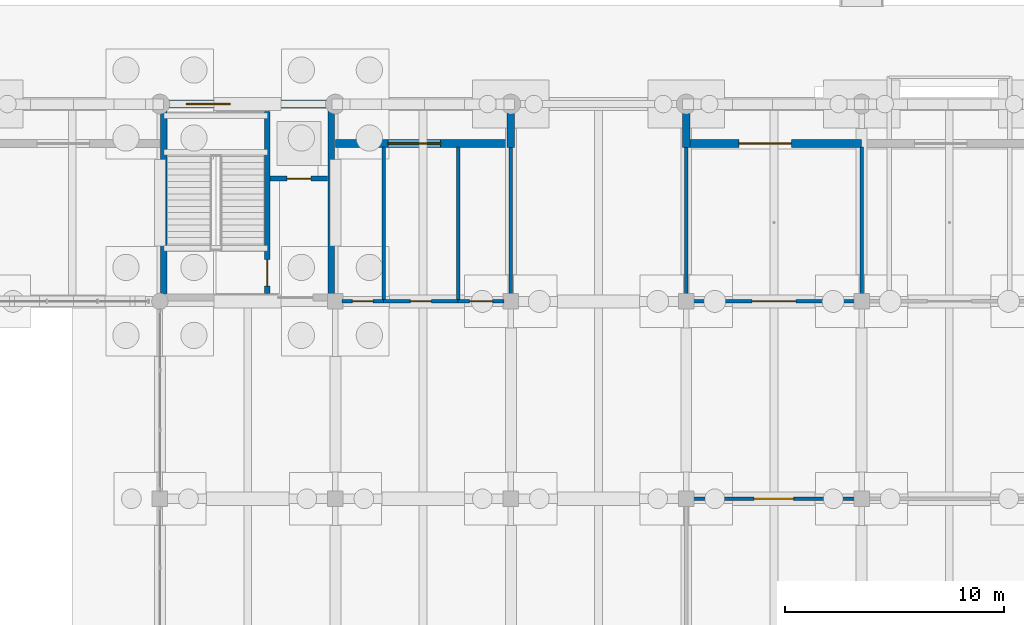
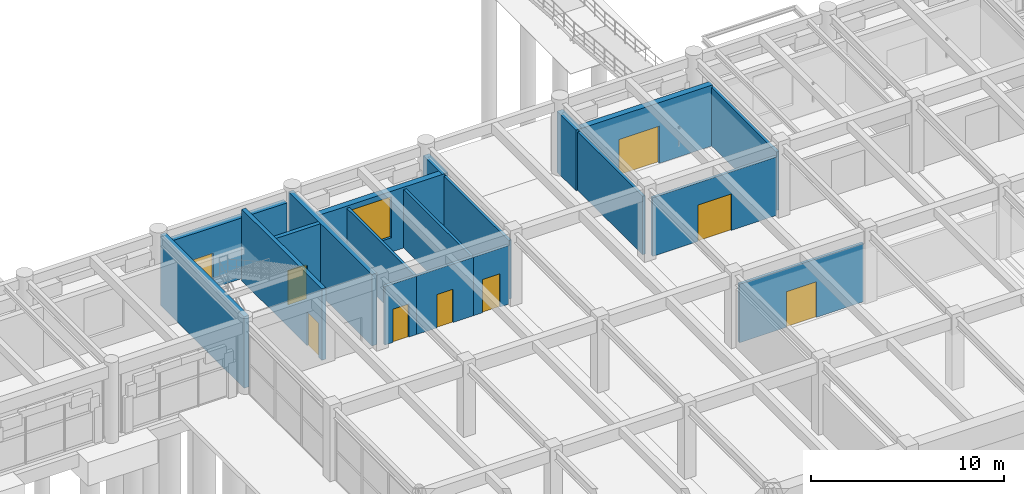
# One storey, part 108 of 147: 19 walls, 9 doors, 1 window, 10 openings.
"""IFC4 building model written with IfcOpenShell, lengths in metres."""

from ifc_helpers import new_model, si_unit, direction, frame, frame_2d, origin, place, context, subcontext, project, spatial, rectangle, extrude, material, layer, layer_set, type_object, element, fill, save


model = new_model("IFC4")

# Units and contexts
model_context = context("Model", 3, precision=1e-05, world=origin(), true_north=direction((0.0, 1.0)))
body_context = subcontext(model_context, "Body", "Model", "MODEL_VIEW")
ifc_project = project(units=[si_unit("LENGTHUNIT", "METRE"), si_unit("AREAUNIT", "SQUARE_METRE"), si_unit("VOLUMEUNIT", "CUBIC_METRE"), si_unit("PLANEANGLEUNIT", "RADIAN"), si_unit("MASSUNIT", "GRAM", prefix="KILO")], contexts=[model_context])

# Site, building, storey
site_placement = place(None, origin())
site = spatial("IfcSite", under=ifc_project, at=site_placement, CompositionType="ELEMENT")
building_placement = place(site_placement, origin())
building = spatial("IfcBuilding", under=site, at=building_placement, Name="Varnabhumi Central Station", CompositionType="ELEMENT")
storey_placement = place(building_placement, origin())
storey = spatial("IfcBuildingStorey", under=building, at=storey_placement, Name="L00", CompositionType="ELEMENT", Elevation=0.0)

# Walls
ifc_material_1 = material(Name="Concrete M40", Category="concrete")
ifc_layer_1 = layer(ifc_material_1, 0.300048828125, Name="Concrete M40", Category="concrete")
ifc_layer_set_1 = layer_set([ifc_layer_1], Name="Concrete M40")
wall_type_1 = type_object("IfcWallType", Name="WAL-CORE-RC-300", PredefinedType="SHEAR", material=ifc_layer_set_1)
for number, where, z_axis, x_axis, name in (
    (1, (80.179931640625, 107.179931640625, 0.0), (0.0, 0.0, 1.0), (0.0, 1.0, 0.0), "NC2 L00 West Shear Wall"),
    (2, (87.820068359375, 107.179931640625, 0.0), (0.0, 0.0, 1.0), (0.0, 1.0, 0.0), "NC2 L00 East Shear Wall"),
):
    element("IfcWall", number, at=place(storey_placement, frame(where, z_axis=z_axis, x_axis=x_axis)), inside=storey, type_object=wall_type_1, Name=name, PredefinedType="SHEAR", context=body_context, shape_type="SweptSolid", body=[
        extrude(rectangle(XDim=8.64013671875, YDim=0.300048828125, at=frame_2d((4.320068359375, 0.0))), origin(), (0.0, 0.0, 1.0), 4.52001953125),
    ])

# Wall, opening, door
ifc_material_2 = material(Name="Chunar sandstone masonry", Category="masonry")
ifc_layer_2 = layer(ifc_material_2, 0.360107421875, Name="Chunar sandstone masonry", Category="masonry")
ifc_layer_set_2 = layer_set([ifc_layer_2], Name="Chunar sandstone masonry")
wall_type_2 = type_object("IfcWallType", Name="WAL-EXT-SANDSTONE-360", PredefinedType="SOLIDWALL", material=ifc_layer_set_2)
wall_1_placement = place(storey_placement, frame((80.39990234375, 116.0, 0.0), z_axis=(0.0, 0.0, 1.0), x_axis=(1.0, 0.0, 0.0)))
wall_1 = element("IfcWall", 3, at=wall_1_placement, inside=storey, type_object=wall_type_2, Name="North Boulevard Wall L00-11", PredefinedType="SOLIDWALL", context=body_context, shape_type="SweptSolid", body=[
    extrude(rectangle(XDim=7.2001953125, YDim=0.360107421875, at=frame_2d((3.60009765625, 0.0))), origin(), (0.0, 0.0, 1.0), 3.840087890625),
])
opening_1_placement = place(wall_1_placement, frame((0.800048828125, 0.0, 0.0)))
opening_1 = element("IfcOpeningElement", 4, at=opening_1_placement, cuts=wall_1, Name="Opening ED-2", PredefinedType="OPENING", context=body_context, shape_type="SweptSolid", body=[
    extrude(rectangle(XDim=2.0, YDim=2.199951171875, at=frame_2d((1.0, 1.10009765625))), frame((0.0, 0.18994140625, 0.0), z_axis=(0.0, -1.0, 0.0), x_axis=(1.0, 0.0, 0.0)), (0.0, 0.0, 1.0), 0.380126953125),
])
ifc_material_3 = material(Name="Stainless steel Grade 316", Category="steel")
door_type_1 = type_object("IfcDoorType", Name="DR-EXT-EXIT-2000", OperationType="NOTDEFINED", PredefinedType="DOOR", material=ifc_material_3)
door_1_placement = place(opening_1_placement, origin())
door_1 = element("IfcDoor", 5, at=door_1_placement, inside=storey, type_object=door_type_1, Name="North Core Stair Final Exit 80", OperationType="DOUBLE_DOOR_SINGLE_SWING", OverallHeight=2.199951171875, OverallWidth=2.0, PredefinedType="DOOR", context=body_context, shape_type="SweptSolid", body=[
    extrude(rectangle(XDim=2.0, YDim=2.199951171875, at=frame_2d((1.0, 1.10009765625))), frame((0.0, 0.02490234375, 0.0), z_axis=(0.0, -1.0, 0.0), x_axis=(1.0, 0.0, 0.0)), (0.0, 0.0, 1.0), 0.050048828125),
])
fill(opening_1, door_1)

# Wall
wall_2_placement = place(storey_placement, frame((96.0, 114.02001953125, 0.0), z_axis=(0.0, 0.0, 1.0), x_axis=(0.0, 1.0, 0.0)))
element("IfcWall", 6, at=wall_2_placement, inside=storey, type_object=wall_type_2, Name="Portales Return Wall W-12", PredefinedType="SOLIDWALL", context=body_context, shape_type="SweptSolid", body=[
    extrude(rectangle(XDim=1.97998046875, YDim=0.360107421875, at=frame_2d((0.989990234375, 0.0))), origin(), (0.0, 0.0, 1.0), 3.840087890625),
])

# Wall, opening, window
wall_3_placement = place(storey_placement, frame((88.0, 114.199951171875, 0.0), z_axis=(0.0, 0.0, 1.0), x_axis=(1.0, 0.0, 0.0)))
wall_3 = element("IfcWall", 7, at=wall_3_placement, inside=storey, type_object=wall_type_2, Name="North Boulevard Wall L00-12", PredefinedType="SOLIDWALL", context=body_context, shape_type="SweptSolid", body=[
    extrude(rectangle(XDim=8.0, YDim=0.360107421875, at=frame_2d((4.0, 0.0))), origin(), (0.0, 0.0, 1.0), 3.840087890625),
])
opening_2_placement = place(wall_3_placement, frame((2.39990234375, 0.0, 0.89990234375)))
opening_2 = element("IfcOpeningElement", 8, at=opening_2_placement, cuts=wall_3, Name="Opening W-01", PredefinedType="OPENING", context=body_context, shape_type="SweptSolid", body=[
    extrude(rectangle(XDim=2.39990234375, YDim=2.60009765625, at=frame_2d((1.199951171875, 1.300048828125))), frame((0.0, 0.18994140625, 0.0), z_axis=(0.0, -1.0, 0.0), x_axis=(1.0, 0.0, 0.0)), (0.0, 0.0, 1.0), 0.380126953125),
])
ifc_material_4 = material(Name="Laminated low-E double glazing", Category="glass")
window_type = type_object("IfcWindowType", Name="WIN-ARCADE-2400x2600", PartitioningType="DOUBLE_PANEL_VERTICAL", PredefinedType="WINDOW", material=ifc_material_4)
window_placement = place(opening_2_placement, origin())
window = element("IfcWindow", 9, at=window_placement, inside=storey, type_object=window_type, Name="North Arcade Window L00-12", OverallHeight=2.60009765625, OverallWidth=2.39990234375, PartitioningType="SINGLE_PANEL", PredefinedType="WINDOW", context=body_context, shape_type="SweptSolid", body=[
    extrude(rectangle(XDim=2.39990234375, YDim=2.60009765625, at=frame_2d((1.199951171875, 1.300048828125))), frame((0.0, 0.030029296875, 0.0), z_axis=(0.0, -1.0, 0.0), x_axis=(1.0, 0.0, 0.0)), (0.0, 0.0, 1.0), 0.06005859375),
])
fill(opening_2, window)

# Wall
wall_4_placement = place(storey_placement, frame((104.0, 114.02001953125, 0.0), z_axis=(0.0, 0.0, 1.0), x_axis=(0.0, 1.0, 0.0)))
element("IfcWall", 10, at=wall_4_placement, inside=storey, type_object=wall_type_2, Name="Portales Return Wall E-14", PredefinedType="SOLIDWALL", context=body_context, shape_type="SweptSolid", body=[
    extrude(rectangle(XDim=1.97998046875, YDim=0.360107421875, at=frame_2d((0.989990234375, 0.0))), origin(), (0.0, 0.0, 1.0), 3.840087890625),
])

# Wall, opening, door
wall_5_placement = place(storey_placement, frame((104.0, 114.199951171875, 0.0), z_axis=(0.0, 0.0, 1.0), x_axis=(1.0, 0.0, 0.0)))
wall_5 = element("IfcWall", 11, at=wall_5_placement, inside=storey, type_object=wall_type_2, Name="North Boulevard Wall L00-14", PredefinedType="SOLIDWALL", context=body_context, shape_type="SweptSolid", body=[
    extrude(rectangle(XDim=8.0, YDim=0.360107421875, at=frame_2d((4.0, 0.0))), origin(), (0.0, 0.0, 1.0), 3.840087890625),
])
opening_3_placement = place(wall_5_placement, frame((2.39990234375, 0.0, 0.0)))
opening_3 = element("IfcOpeningElement", 12, at=opening_3_placement, cuts=wall_5, Name="Opening ED-1", PredefinedType="OPENING", context=body_context, shape_type="SweptSolid", body=[
    extrude(rectangle(XDim=2.39990234375, YDim=2.35009765625, at=frame_2d((1.199951171875, 1.175048828125))), frame((0.0, 0.18994140625, 0.0), z_axis=(0.0, -1.0, 0.0), x_axis=(1.0, 0.0, 0.0)), (0.0, 0.0, 1.0), 0.380126953125),
])
ifc_material_5 = material(Name="Anodised aluminium 6063-T6", Category="aluminium")
door_type_2 = type_object("IfcDoorType", Name="DR-EXT-PORTAL-2400", OperationType="NOTDEFINED", PredefinedType="DOOR", material=ifc_material_5)
door_2_placement = place(opening_3_placement, origin())
door_2 = element("IfcDoor", 13, at=door_2_placement, inside=storey, type_object=door_type_2, Name="North Boulevard Portal Entrance 14", OperationType="DOUBLE_DOOR_SINGLE_SWING", OverallHeight=2.35009765625, OverallWidth=2.39990234375, PredefinedType="DOOR", context=body_context, shape_type="SweptSolid", body=[
    extrude(rectangle(XDim=2.39990234375, YDim=2.35009765625, at=frame_2d((1.199951171875, 1.175048828125))), frame((0.0, 0.02490234375, 0.0), z_axis=(0.0, -1.0, 0.0), x_axis=(1.0, 0.0, 0.0)), (0.0, 0.0, 1.0), 0.050048828125),
])
fill(opening_3, door_2)

ifc_material_6 = material(Name="Autoclaved aerated blockwork masonry", Category="masonry")
ifc_layer_3 = layer(ifc_material_6, 0.159912109375, Name="Autoclaved aerated blockwork masonry", Category="masonry")
ifc_layer_set_3 = layer_set([ifc_layer_3], Name="Autoclaved aerated blockwork masonry")
wall_type_3 = type_object("IfcWallType", Name="WAL-PART-AAC-160", PredefinedType="PARTITIONING", material=ifc_layer_set_3)
wall_6_placement = place(storey_placement, frame((88.300048828125, 107.0, 0.0), z_axis=(0.0, 0.0, 1.0), x_axis=(1.0, 0.0, 0.0)))
wall_6 = element("IfcWall", 14, at=wall_6_placement, inside=storey, type_object=wall_type_3, Name="Public Male WC L00 North Corridor Partition 1", PredefinedType="PARTITIONING", context=body_context, shape_type="SweptSolid", body=[
    extrude(rectangle(XDim=1.89990234375, YDim=0.159912109375, at=frame_2d((0.949951171875, 0.0))), origin(), (0.0, 0.0, 1.0), 3.699951171875),
])
opening_4_placement = place(wall_6_placement, frame((0.47509765625, 0.0, 0.0)))
opening_4 = element("IfcOpeningElement", 15, at=opening_4_placement, cuts=wall_6, Name="Opening D-04", PredefinedType="OPENING", context=body_context, shape_type="SweptSolid", body=[
    extrude(rectangle(XDim=0.949951171875, YDim=2.10009765625, at=frame_2d((0.47509765625, 1.050048828125))), frame((0.0, 0.08984375, 0.0), z_axis=(0.0, -1.0, 0.0), x_axis=(1.0, 0.0, 0.0)), (0.0, 0.0, 1.0), 0.179931640625),
])
ifc_material_7 = material(Name="Intumescent-treated hardwood timber", Category="wood")
door_type_3 = type_object("IfcDoorType", Name="DR-WC-950", OperationType="NOTDEFINED", PredefinedType="DOOR", material=ifc_material_7)
door_3_placement = place(opening_4_placement, frame((0.949951171875, 0.0, 0.0), z_axis=(0.0, 0.0, 1.0), x_axis=(-1.0, 0.0, 0.0)))
door_3 = element("IfcDoor", 16, at=door_3_placement, inside=storey, type_object=door_type_3, Name="Public Male WC L00 North Door 1", OperationType="SINGLE_SWING_RIGHT", OverallHeight=2.10009765625, OverallWidth=0.949951171875, PredefinedType="DOOR", context=body_context, shape_type="SweptSolid", body=[
    extrude(rectangle(XDim=0.949951171875, YDim=2.10009765625, at=frame_2d((0.47509765625, 1.050048828125))), frame((0.0, 0.02490234375, 0.0), z_axis=(0.0, -1.0, 0.0), x_axis=(1.0, 0.0, 0.0)), (0.0, 0.0, 1.0), 0.050048828125),
])
fill(opening_4, door_3)

# Wall
wall_7_placement = place(storey_placement, frame((90.199951171875, 107.080078125, 0.0), z_axis=(0.0, 0.0, 1.0), x_axis=(0.0, 1.0, 0.0)))
element("IfcWall", 17, at=wall_7_placement, inside=storey, type_object=wall_type_3, Name="Public Male WC L00 North W Partition 1", PredefinedType="PARTITIONING", context=body_context, shape_type="SweptSolid", body=[
    extrude(rectangle(XDim=6.9599609375, YDim=0.159912109375, at=frame_2d((3.47998046875, 0.0))), origin(), (0.0, 0.0, 1.0), 3.699951171875),
])

# Wall, opening, door
wall_8_placement = place(storey_placement, frame((90.199951171875, 107.0, 0.0), z_axis=(0.0, 0.0, 1.0), x_axis=(1.0, 0.0, 0.0)))
wall_8 = element("IfcWall", 18, at=wall_8_placement, inside=storey, type_object=wall_type_3, Name="Public Female WC L00 North Corridor Partition 1", PredefinedType="PARTITIONING", context=body_context, shape_type="SweptSolid", body=[
    extrude(rectangle(XDim=3.400146484375, YDim=0.159912109375, at=frame_2d((1.7001953125, 0.0))), origin(), (0.0, 0.0, 1.0), 3.699951171875),
])
opening_5_placement = place(wall_8_placement, frame((1.22509765625, 0.0, 0.0)))
opening_5 = element("IfcOpeningElement", 19, at=opening_5_placement, cuts=wall_8, Name="Opening D-04", PredefinedType="OPENING", context=body_context, shape_type="SweptSolid", body=[
    extrude(rectangle(XDim=0.949951171875, YDim=2.10009765625, at=frame_2d((0.47509765625, 1.050048828125))), frame((0.0, 0.08984375, 0.0), z_axis=(0.0, -1.0, 0.0), x_axis=(1.0, 0.0, 0.0)), (0.0, 0.0, 1.0), 0.179931640625),
])
door_4_placement = place(opening_5_placement, frame((0.949951171875, 0.0, 0.0), z_axis=(0.0, 0.0, 1.0), x_axis=(-1.0, 0.0, 0.0)))
door_4 = element("IfcDoor", 20, at=door_4_placement, inside=storey, type_object=door_type_3, Name="Public Female WC L00 North Door 1", OperationType="SINGLE_SWING_LEFT", OverallHeight=2.10009765625, OverallWidth=0.949951171875, PredefinedType="DOOR", context=body_context, shape_type="SweptSolid", body=[
    extrude(rectangle(XDim=0.949951171875, YDim=2.10009765625, at=frame_2d((0.47509765625, 1.050048828125))), frame((0.0, 0.02490234375, 0.0), z_axis=(0.0, -1.0, 0.0), x_axis=(1.0, 0.0, 0.0)), (0.0, 0.0, 1.0), 0.050048828125),
])
fill(opening_5, door_4)

# Wall
wall_9_placement = place(storey_placement, frame((93.60009765625, 107.080078125, 0.0), z_axis=(0.0, 0.0, 1.0), x_axis=(0.0, 1.0, 0.0)))
element("IfcWall", 21, at=wall_9_placement, inside=storey, type_object=wall_type_3, Name="Public Female WC L00 North W Partition 1", PredefinedType="PARTITIONING", context=body_context, shape_type="SweptSolid", body=[
    extrude(rectangle(XDim=6.9599609375, YDim=0.159912109375, at=frame_2d((3.47998046875, 0.0))), origin(), (0.0, 0.0, 1.0), 3.699951171875),
])

# Wall, opening, door
wall_10_placement = place(storey_placement, frame((93.60009765625, 107.0, 0.0), z_axis=(0.0, 0.0, 1.0), x_axis=(1.0, 0.0, 0.0)))
wall_10 = element("IfcWall", 22, at=wall_10_placement, inside=storey, type_object=wall_type_3, Name="Accessible WC L00 North Corridor Partition 1", PredefinedType="PARTITIONING", context=body_context, shape_type="SweptSolid", body=[
    extrude(rectangle(XDim=2.099853515625, YDim=0.159912109375, at=frame_2d((1.0498046875, 0.0))), origin(), (0.0, 0.0, 1.0), 3.699951171875),
])
opening_6_placement = place(wall_10_placement, frame((0.52490234375, 0.0, 0.0)))
opening_6 = element("IfcOpeningElement", 23, at=opening_6_placement, cuts=wall_10, Name="Opening D-05", PredefinedType="OPENING", context=body_context, shape_type="SweptSolid", body=[
    extrude(rectangle(XDim=1.050048828125, YDim=2.10009765625, at=frame_2d((0.52490234375, 1.050048828125))), frame((0.0, 0.08984375, 0.0), z_axis=(0.0, -1.0, 0.0), x_axis=(1.0, 0.0, 0.0)), (0.0, 0.0, 1.0), 0.179931640625),
])
door_type_4 = type_object("IfcDoorType", Name="DR-ACC-WC-1050", OperationType="NOTDEFINED", PredefinedType="DOOR", material=ifc_material_7)
door_5_placement = place(opening_6_placement, frame((1.050048828125, 0.0, 0.0), z_axis=(0.0, 0.0, 1.0), x_axis=(-1.0, 0.0, 0.0)))
door_5 = element("IfcDoor", 24, at=door_5_placement, inside=storey, type_object=door_type_4, Name="Accessible WC L00 North Door 1", OperationType="SINGLE_SWING_RIGHT", OverallHeight=2.10009765625, OverallWidth=1.050048828125, PredefinedType="DOOR", context=body_context, shape_type="SweptSolid", body=[
    extrude(rectangle(XDim=1.050048828125, YDim=2.10009765625, at=frame_2d((0.52490234375, 1.050048828125))), frame((0.0, 0.02490234375, 0.0), z_axis=(0.0, -1.0, 0.0), x_axis=(1.0, 0.0, 0.0)), (0.0, 0.0, 1.0), 0.050048828125),
])
fill(opening_6, door_5)

# Wall
wall_11_placement = place(storey_placement, frame((96.0, 107.300048828125, 0.0), z_axis=(0.0, 0.0, 1.0), x_axis=(0.0, 1.0, 0.0)))
element("IfcWall", 25, at=wall_11_placement, inside=storey, type_object=wall_type_3, Name="Accessible WC L00 North W Partition 1", PredefinedType="PARTITIONING", context=body_context, shape_type="SweptSolid", body=[
    extrude(rectangle(XDim=6.739990234375, YDim=0.159912109375, at=frame_2d((3.3701171875, 0.0))), origin(), (0.0, 0.0, 1.0), 3.699951171875),
])

# Wall, opening, door
wall_12_placement = place(storey_placement, frame((104.300048828125, 107.0, 0.0), z_axis=(0.0, 0.0, 1.0), x_axis=(1.0, 0.0, 0.0)))
wall_12 = element("IfcWall", 26, at=wall_12_placement, inside=storey, type_object=wall_type_3, Name="Travel Retail Shop 02 Corridor Partition 1", PredefinedType="PARTITIONING", context=body_context, shape_type="SweptSolid", body=[
    extrude(rectangle(XDim=7.39990234375, YDim=0.159912109375, at=frame_2d((3.699951171875, 0.0))), origin(), (0.0, 0.0, 1.0), 3.699951171875),
])
opening_7_placement = place(wall_12_placement, frame((2.699951171875, 0.0, 0.0)))
opening_7 = element("IfcOpeningElement", 27, at=opening_7_placement, cuts=wall_12, Name="Opening D-03", PredefinedType="OPENING", context=body_context, shape_type="SweptSolid", body=[
    extrude(rectangle(XDim=2.0, YDim=2.300048828125, at=frame_2d((1.0, 1.14990234375))), frame((0.0, 0.08984375, 0.0), z_axis=(0.0, -1.0, 0.0), x_axis=(1.0, 0.0, 0.0)), (0.0, 0.0, 1.0), 0.179931640625),
])
door_type_5 = type_object("IfcDoorType", Name="DR-SHOP-2000", OperationType="NOTDEFINED", PredefinedType="DOOR", material=ifc_material_5)
door_6_placement = place(opening_7_placement, frame((2.0, 0.0, 0.0), z_axis=(0.0, 0.0, 1.0), x_axis=(-1.0, 0.0, 0.0)))
door_6 = element("IfcDoor", 28, at=door_6_placement, inside=storey, type_object=door_type_5, Name="Travel Retail Shop 02 Door 1", OperationType="DOUBLE_DOOR_SINGLE_SWING", OverallHeight=2.300048828125, OverallWidth=2.0, PredefinedType="DOOR", context=body_context, shape_type="SweptSolid", body=[
    extrude(rectangle(XDim=2.0, YDim=2.300048828125, at=frame_2d((1.0, 1.14990234375))), frame((0.0, 0.02490234375, 0.0), z_axis=(0.0, -1.0, 0.0), x_axis=(1.0, 0.0, 0.0)), (0.0, 0.0, 1.0), 0.050048828125),
])
fill(opening_7, door_6)

# Walls
for number, where, z_axis, x_axis, name in (
    (29, (104.0, 107.300048828125, 0.0), (0.0, 0.0, 1.0), (0.0, 1.0, 0.0), "Travel Retail Shop 02 E Partition 1"),
    (30, (112.0, 107.300048828125, 0.0), (0.0, 0.0, 1.0), (0.0, 1.0, 0.0), "Travel Retail Shop 02 W Partition 1"),
):
    element("IfcWall", number, at=place(storey_placement, frame(where, z_axis=z_axis, x_axis=x_axis)), inside=storey, type_object=wall_type_3, Name=name, PredefinedType="PARTITIONING", context=body_context, shape_type="SweptSolid", body=[
        extrude(rectangle(XDim=6.739990234375, YDim=0.159912109375, at=frame_2d((3.3701171875, 0.0))), origin(), (0.0, 0.0, 1.0), 3.699951171875),
    ])

# Wall, opening, door
wall_13_placement = place(storey_placement, frame((104.300048828125, 98.0, 0.0), z_axis=(0.0, 0.0, 1.0), x_axis=(1.0, 0.0, 0.0)))
wall_13 = element("IfcWall", 31, at=wall_13_placement, inside=storey, type_object=wall_type_3, Name="Forecourt Espresso and Snack Bar Corridor Partition 1", PredefinedType="PARTITIONING", context=body_context, shape_type="SweptSolid", body=[
    extrude(rectangle(XDim=7.39990234375, YDim=0.159912109375, at=frame_2d((3.699951171875, 0.0))), origin(), (0.0, 0.0, 1.0), 3.699951171875),
])
opening_8_placement = place(wall_13_placement, frame((2.800048828125, 0.0, 0.0)))
opening_8 = element("IfcOpeningElement", 32, at=opening_8_placement, cuts=wall_13, Name="Opening D-02", PredefinedType="OPENING", context=body_context, shape_type="SweptSolid", body=[
    extrude(rectangle(XDim=1.800048828125, YDim=2.25, at=frame_2d((0.89990234375, 1.125))), frame((0.0, 0.08984375, 0.0), z_axis=(0.0, -1.0, 0.0), x_axis=(1.0, 0.0, 0.0)), (0.0, 0.0, 1.0), 0.179931640625),
])
door_type_6 = type_object("IfcDoorType", Name="DR-LOUNGE-1800", OperationType="NOTDEFINED", PredefinedType="DOOR", material=ifc_material_5)
door_7_placement = place(opening_8_placement, origin())
door_7 = element("IfcDoor", 33, at=door_7_placement, inside=storey, type_object=door_type_6, Name="Forecourt Espresso and Snack Bar Door 1", OperationType="DOUBLE_DOOR_SINGLE_SWING", OverallHeight=2.25, OverallWidth=1.800048828125, PredefinedType="DOOR", context=body_context, shape_type="SweptSolid", body=[
    extrude(rectangle(XDim=1.800048828125, YDim=2.25, at=frame_2d((0.89990234375, 1.125))), frame((0.0, 0.02490234375, 0.0), z_axis=(0.0, -1.0, 0.0), x_axis=(1.0, 0.0, 0.0)), (0.0, 0.0, 1.0), 0.050048828125),
])
fill(opening_8, door_7)

ifc_layer_4 = layer(ifc_material_1, 0.239990234375, Name="Concrete M40", Category="concrete")
ifc_layer_set_4 = layer_set([ifc_layer_4], Name="Concrete M40")
wall_type_4 = type_object("IfcWallType", Name="WAL-SHAFT-RC-240", PredefinedType="SHEAR", material=ifc_layer_set_4)
wall_14_placement = place(storey_placement, frame((84.89990234375, 107.35009765625, 0.0), z_axis=(0.0, 0.0, 1.0), x_axis=(0.0, 1.0, 0.0)))
wall_14 = element("IfcWall", 34, at=wall_14_placement, inside=storey, type_object=wall_type_4, Name="NC2 L00 Stair-Lobby Divider Wall", PredefinedType="SHEAR", context=body_context, shape_type="SweptSolid", body=[
    extrude(rectangle(XDim=8.2998046875, YDim=0.239990234375, at=frame_2d((4.14990234375, 0.0))), origin(), (0.0, 0.0, 1.0), 4.52001953125),
])
opening_9_placement = place(wall_14_placement, frame((0.35009765625, 0.0, 0.0)))
opening_9 = element("IfcOpeningElement", 35, at=opening_9_placement, cuts=wall_14, Name="Opening FD-120", PredefinedType="OPENING", context=body_context, shape_type="SweptSolid", body=[
    extrude(rectangle(XDim=1.199951171875, YDim=2.14990234375, at=frame_2d((0.60009765625, 1.074951171875))), frame((0.0, 0.1298828125, 0.0), z_axis=(0.0, -1.0, 0.0), x_axis=(1.0, 0.0, 0.0)), (0.0, 0.0, 1.0), 0.260009765625),
])
door_type_7 = type_object("IfcDoorType", Name="DR-FIRE-120-1200", OperationType="NOTDEFINED", PredefinedType="DOOR", material=ifc_material_3)
door_8_placement = place(opening_9_placement, frame((1.199951171875, 0.0, 0.0), z_axis=(0.0, 0.0, 1.0), x_axis=(-1.0, 0.0, 0.0)))
door_8 = element("IfcDoor", 36, at=door_8_placement, inside=storey, type_object=door_type_7, Name="ST-N2 L00 Fire Door", OperationType="SINGLE_SWING_LEFT", OverallHeight=2.14990234375, OverallWidth=1.199951171875, PredefinedType="DOOR", context=body_context, shape_type="SweptSolid", body=[
    extrude(rectangle(XDim=1.199951171875, YDim=2.14990234375, at=frame_2d((0.60009765625, 1.074951171875))), frame((0.0, 0.02490234375, 0.0), z_axis=(0.0, -1.0, 0.0), x_axis=(1.0, 0.0, 0.0)), (0.0, 0.0, 1.0), 0.050048828125),
])
fill(opening_9, door_8)

wall_15_placement = place(storey_placement, frame((85.02001953125, 112.60009765625, 0.0), z_axis=(0.0, 0.0, 1.0), x_axis=(1.0, 0.0, 0.0)))
wall_15 = element("IfcWall", 37, at=wall_15_placement, inside=storey, type_object=wall_type_4, Name="PL-7 L00 Lift Shaft Front Wall", PredefinedType="SHEAR", context=body_context, shape_type="SweptSolid", body=[
    extrude(rectangle(XDim=2.6298828125, YDim=0.239990234375, at=frame_2d((1.31494140625, 0.0))), origin(), (0.0, 0.0, 1.0), 4.52001953125),
])
opening_10_placement = place(wall_15_placement, frame((0.764892578125, 0.0, 0.0)))
opening_10 = element("IfcOpeningElement", 38, at=opening_10_placement, cuts=wall_15, Name="Opening LD-PL-7", PredefinedType="OPENING", context=body_context, shape_type="SweptSolid", body=[
    extrude(rectangle(XDim=1.10009765625, YDim=2.14990234375, at=frame_2d((0.550048828125, 1.074951171875))), frame((0.0, 0.1298828125, 0.0), z_axis=(0.0, -1.0, 0.0), x_axis=(1.0, 0.0, 0.0)), (0.0, 0.0, 1.0), 0.260009765625),
])
door_type_8 = type_object("IfcDoorType", Name="DR-LIFT-PASS-1100", OperationType="NOTDEFINED", PredefinedType="DOOR", material=ifc_material_3)
door_9_placement = place(opening_10_placement, origin())
door_9 = element("IfcDoor", 39, at=door_9_placement, inside=storey, type_object=door_type_8, Name="Lift Landing Door PL-7 L00", OperationType="DOUBLE_DOOR_SLIDING", OverallHeight=2.14990234375, OverallWidth=1.10009765625, PredefinedType="DOOR", context=body_context, shape_type="SweptSolid", body=[
    extrude(rectangle(XDim=1.10009765625, YDim=2.14990234375, at=frame_2d((0.550048828125, 1.074951171875))), frame((0.0, 0.02490234375, 0.0), z_axis=(0.0, -1.0, 0.0), x_axis=(1.0, 0.0, 0.0)), (0.0, 0.0, 1.0), 0.050048828125),
])
fill(opening_10, door_9)

save(model, "model.ifc")
